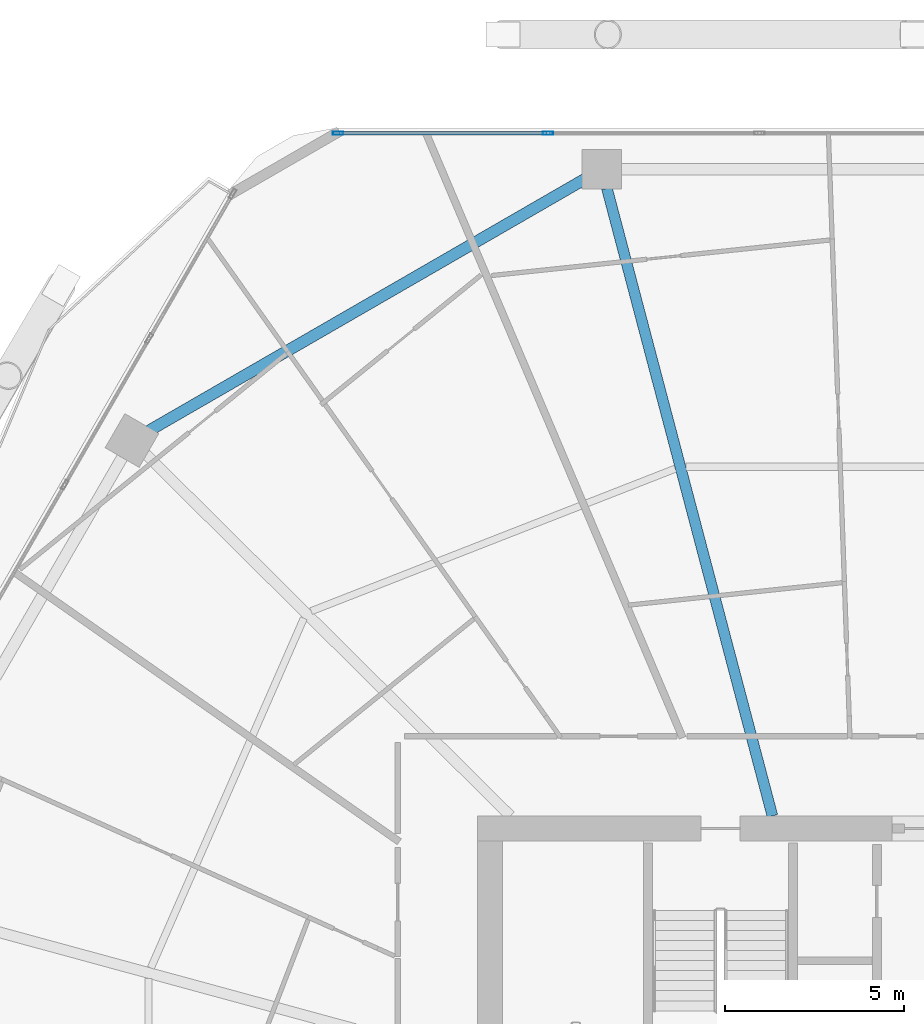
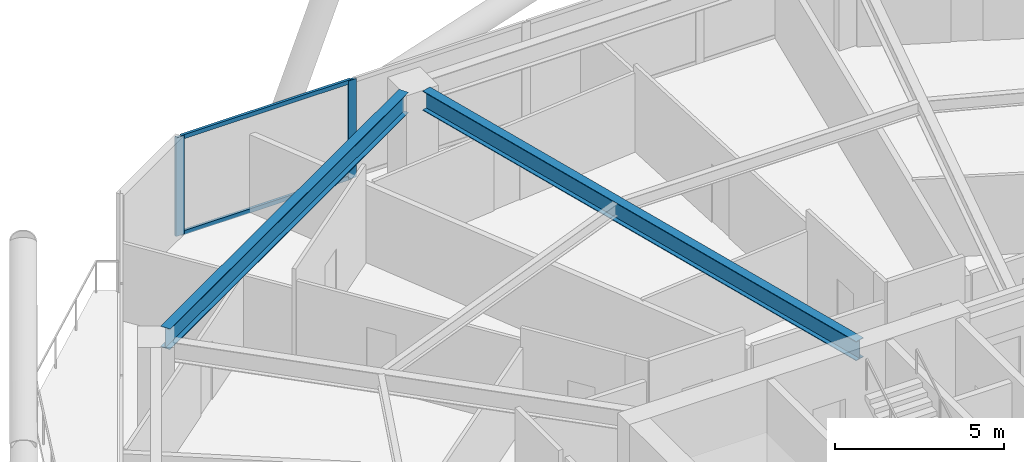
# One storey, part 19 of 36: 4 members, 2 beams, 1 element without a shape of its own.
"""IFC4 building model written with IfcOpenShell, lengths in metres."""

import ifcopenshell
import ifcopenshell.guid

model = None  # the IFC model being written
_history = None  # IfcOwnerHistory: only IFC2X3 demands one
_inside = {}  # id of a spatial element -> (the spatial element, [elements in it])
_under = {}  # id of a project, library or spatial element -> (it, [spatial elements below it])
_declared = {}  # id of a project -> (the project, [libraries it declares])
_typed = {}  # id of a type object -> (the type object, [elements of that type])
_made_of = {}  # id of a material, layer set ... -> (it, [elements and type objects made of it])


def new_model(schema):
    """Start an empty IFC model of exactly this schema.

    Asked for "IFC4X3", IfcOpenShell would pick the latest addendum, in which some entities
    have other attributes; the version numbers below select the first issue.
    IFC2X3 requires an IfcOwnerHistory on every rooted entity: one is made here for all.
    """
    global model, _history
    if schema == "IFC4X3":
        model = ifcopenshell.file(schema_version=(4, 3, 0, 0))
    else:
        model = ifcopenshell.file(schema=schema)
    _inside.clear()
    _under.clear()
    _declared.clear()
    _typed.clear()
    _made_of.clear()
    _history = None
    if model.schema == "IFC2X3":
        org = make("IfcOrganization", Name="unknown")
        user = make(
            "IfcPersonAndOrganization",
            ThePerson=make("IfcPerson", FamilyName="unknown"),
            TheOrganization=org,
        )
        app = make(
            "IfcApplication",
            ApplicationDeveloper=org,
            Version="unknown",
            ApplicationFullName="unknown",
            ApplicationIdentifier="unknown",
        )
        _history = make(
            "IfcOwnerHistory",
            OwningUser=user,
            OwningApplication=app,
            ChangeAction="ADDED",
            CreationDate=0,
        )
    return model


def make(cls, **values):
    """One entity of the class cls with the attributes given. An attribute that is None is left unset."""
    return model.create_entity(
        cls, **{name: value for name, value in values.items() if value is not None}
    )


def rooted(cls, **values):
    """An entity with a GlobalId (a new one), such as an element, a storey or a relation."""
    return make(cls, GlobalId=ifcopenshell.guid.new(), OwnerHistory=_history, **values)


def si_unit(unit_type, name, prefix=None):
    """IfcSIUnit, for example si_unit("LENGTHUNIT", "METRE", prefix="MILLI")."""
    return make("IfcSIUnit", UnitType=unit_type, Prefix=prefix, Name=name)


def assignment(units):
    """IfcUnitAssignment: the units of a project."""
    return None if units is None else make("IfcUnitAssignment", Units=units)


def point(xyz):
    """IfcCartesianPoint."""
    return None if xyz is None else make("IfcCartesianPoint", Coordinates=xyz)


def direction(xyz):
    """IfcDirection."""
    return None if xyz is None else make("IfcDirection", DirectionRatios=xyz)


def frame(location, z_axis=None, x_axis=None):
    """IfcAxis2Placement3D, a coordinate frame: its origin and axes. An axis left out is left unset."""
    return make(
        "IfcAxis2Placement3D",
        Location=point(location),
        Axis=direction(z_axis),
        RefDirection=direction(x_axis),
    )


def frame_2d(location, x_axis=None):
    """IfcAxis2Placement2D, a coordinate frame in the plane: its origin and x axis."""
    return make(
        "IfcAxis2Placement2D", Location=point(location), RefDirection=direction(x_axis)
    )


def origin():
    """The frame at (0, 0, 0) with its axes left unset."""
    return frame((0.0, 0.0, 0.0))


def origin_2d():
    """The frame at (0, 0) in the plane with its x axis left unset."""
    return frame_2d((0.0, 0.0))


def place(relative_to, where):
    """IfcLocalPlacement: puts the frame where relative to a parent placement (None: the world)."""
    return make(
        "IfcLocalPlacement", PlacementRelTo=relative_to, RelativePlacement=where
    )


def context(
    kind, dimensions, precision=None, world=None, true_north=None, identifier=None
):
    """IfcGeometricRepresentationContext, for example the 3D "Model" context."""
    return make(
        "IfcGeometricRepresentationContext",
        ContextIdentifier=identifier,
        ContextType=kind,
        CoordinateSpaceDimension=dimensions,
        Precision=precision,
        WorldCoordinateSystem=world,
        TrueNorth=true_north,
    )


def subcontext(parent, identifier, kind, view, scale=None):
    """IfcGeometricRepresentationSubContext, for example "Body" below "Model"."""
    return make(
        "IfcGeometricRepresentationSubContext",
        ContextIdentifier=identifier,
        ContextType=kind,
        ParentContext=parent,
        TargetScale=scale,
        TargetView=view,
    )


def project(units=None, contexts=None):
    """IfcProject with its units and contexts."""
    return rooted(
        "IfcProject",
        Name="project",
        RepresentationContexts=contexts,
        UnitsInContext=assignment(units),
    )


def spatial(cls, under=None, at=None, **own):
    """A site, building, storey or space (cls), placed at a placement, below another one or the project."""
    s = rooted(cls, ObjectPlacement=at, **own)
    if under is not None:
        _under.setdefault(under.id(), (under, []))[1].append(s)
    return s


def profile(cls, at=None, kind="AREA", **sizes):
    """A parametric profile (cls). Its sizes go by their IFC names, for example OverallWidth=200.0."""
    return make(cls, ProfileType=kind, Position=at, **sizes)


def hollow_rectangle(**sizes):
    """IfcRectangleHollowProfileDef."""
    return profile("IfcRectangleHollowProfileDef", **sizes)


def i_section(**sizes):
    """IfcIShapeProfileDef."""
    return profile("IfcIShapeProfileDef", **sizes)


def extrude(swept, where, along, depth):
    """IfcExtrudedAreaSolid: the profile swept, set in the frame where, extruded along a direction by depth."""
    return make(
        "IfcExtrudedAreaSolid",
        SweptArea=swept,
        Position=where,
        ExtrudedDirection=direction(along),
        Depth=depth,
    )


def shape(context_of_items, identifier, shape_type, items):
    """IfcShapeRepresentation: the items that make up one representation, for example the "Body"."""
    return make(
        "IfcShapeRepresentation",
        ContextOfItems=context_of_items,
        RepresentationIdentifier=identifier,
        RepresentationType=shape_type,
        Items=items,
    )


def material(Name=None, Category=None):
    """IfcMaterial."""
    return make("IfcMaterial", Name=Name, Category=Category)


def material_profile(
    of_material, cross_section, Name=None, Category=None, Priority=None
):
    """IfcMaterialProfile: a cross section and its material."""
    return make(
        "IfcMaterialProfile",
        Name=Name,
        Material=of_material,
        Profile=cross_section,
        Priority=Priority,
        Category=Category,
    )


def profile_set(profiles, Name=None, composite=None):
    """IfcMaterialProfileSet."""
    return make(
        "IfcMaterialProfileSet",
        Name=Name,
        MaterialProfiles=profiles,
        CompositeProfile=composite,
    )


def made_of(thing, what):
    """Note that an element or type object is made of a material, layer set ...; save() writes the relation."""
    if what is not None:
        _made_of.setdefault(what.id(), (what, []))[1].append(thing)
    return thing


def type_object(cls, material=None, **own):
    """A type object (cls), such as IfcWallType, which elements share."""
    return made_of(rooted(cls, **own), material)


def element(
    cls,
    number,
    at=None,
    inside=None,
    cuts=None,
    type_object=None,
    material=None,
    context=None,
    identifier="Body",
    shape_type=None,
    held_by="IfcProductDefinitionShape",
    body=None,
    shapes=None,
    **own,
):
    """One element of the class cls, such as IfcWall. Its Tag is "e" and its number.

    at: its placement. inside: the storey or other place that contains it. cuts: it is an
    opening in that element (IfcRelVoidsElement). A single representation is given by context,
    identifier, shape_type and body (its items); several are given by shapes. held_by: the class
    of the entity that holds the representations. save() writes the other relations.
    """
    e = rooted(cls, Tag="e%d" % number, ObjectPlacement=at, **own)
    if body is not None:
        shapes = [shape(context, identifier, shape_type, body)]
    if shapes is not None:
        e.Representation = make(held_by, Representations=shapes)
    if inside is not None:
        _inside.setdefault(inside.id(), (inside, []))[1].append(e)
    if cuts is not None:
        rooted(
            "IfcRelVoidsElement", RelatingBuildingElement=cuts, RelatedOpeningElement=e
        )
    if type_object is not None:
        _typed.setdefault(type_object.id(), (type_object, []))[1].append(e)
    return made_of(e, material)


def aggregate(whole, parts):
    """IfcRelAggregates: a whole, such as a stair, and the parts it consists of."""
    return rooted("IfcRelAggregates", RelatingObject=whole, RelatedObjects=parts)


def save(model, path):
    """Write the relations noted so far, then the file.

    IfcRelAggregates (storeys below a building ...), IfcRelContainedInSpatialStructure (elements
    in a storey), IfcRelDefinesByType, IfcRelAssociatesMaterial and IfcRelDeclares: one each for
    every whole, place, type object, material and project.
    """
    for whole, parts in _under.values():
        aggregate(whole, parts)
    for where, things in _inside.values():
        rooted(
            "IfcRelContainedInSpatialStructure",
            RelatedElements=things,
            RelatingStructure=where,
        )
    for kind, things in _typed.values():
        rooted("IfcRelDefinesByType", RelatedObjects=things, RelatingType=kind)
    for what, things in _made_of.values():
        rooted("IfcRelAssociatesMaterial", RelatedObjects=things, RelatingMaterial=what)
    for by, libraries in _declared.values():
        rooted("IfcRelDeclares", RelatingContext=by, RelatedDefinitions=libraries)
    model.write(path)


model = new_model("IFC4")

# Units and contexts
model_context = context("Model", 3, precision=1e-05, world=origin(), true_north=direction((0.0, 1.0)))
body_context = subcontext(model_context, "Body", "Model", "MODEL_VIEW")
ifc_project = project(units=[si_unit("LENGTHUNIT", "METRE"), si_unit("AREAUNIT", "SQUARE_METRE"), si_unit("VOLUMEUNIT", "CUBIC_METRE"), si_unit("PLANEANGLEUNIT", "RADIAN"), si_unit("MASSUNIT", "GRAM", prefix="KILO")], contexts=[model_context])

# Site, building, storey
site_placement = place(None, origin())
site = spatial("IfcSite", under=ifc_project, at=site_placement, CompositionType="ELEMENT")
building_placement = place(site_placement, origin())
building = spatial("IfcBuilding", under=site, at=building_placement, Name="Zuhravey Tower", CompositionType="ELEMENT")
storey_placement = place(building_placement, frame((0.0, 0.0, 107.60009765625)))
storey = spatial("IfcBuildingStorey", under=building, at=storey_placement, Name="L26", CompositionType="ELEMENT", Elevation=107.60009765625)

# Curtain wall, members
ifc_material_1 = material(Name="Thermally broken anodised aluminium", Category="aluminium")
curtain_wall_type = type_object("IfcCurtainWallType", Name="Zone 1-2 Residential Curtain Wall CW3", PredefinedType="NOTDEFINED", material=ifc_material_1)
curtain_wall_placement = place(storey_placement, origin())
curtain_wall = element("IfcCurtainWall", 1, at=curtain_wall_placement, inside=storey, type_object=curtain_wall_type, Name="L26 CW3 CW-L26-F2-1", PredefinedType="NOTDEFINED")
ifc_material_2 = material(Name="Anodised aluminium", Category="aluminium")
ifc_material_profile_1 = material_profile(ifc_material_2, hollow_rectangle(XDim=0.090087890625, YDim=0.284912109375, WallThickness=0.0048828125, at=origin_2d()), Name="ALU-RHS-90x285x5")
ifc_profile_set_1 = profile_set([ifc_material_profile_1], Name="Anodised aluminium")
member_type_1 = type_object("IfcMemberType", Name="Curtain-Wall Mullion 90x180", PredefinedType="MULLION", material=ifc_profile_set_1)
member_1_placement = place(storey_placement, frame((21.24560546875, 60.95849609375, 0.0), z_axis=(0.0, 0.0, 1.0), x_axis=(0.0, 1.0, 0.0)))
member_1 = element("IfcMember", 2, at=member_1_placement, type_object=member_type_1, Name="CW3 mullion 1", PredefinedType="MULLION", context=body_context, shape_type="SweptSolid", body=[
    extrude(hollow_rectangle(XDim=0.090087890625, YDim=0.284912109375, WallThickness=0.0048828125, at=origin_2d()), origin(), (0.0, 0.0, 1.0), 3.5498046875),
])
member_2_placement = place(storey_placement, frame((27.120361328125, 60.95849609375, 0.0), z_axis=(0.0, 0.0, 1.0), x_axis=(0.0, 1.0, 0.0)))
member_2 = element("IfcMember", 3, at=member_2_placement, type_object=member_type_1, Name="CW3 mullion 2", PredefinedType="MULLION", context=body_context, shape_type="SweptSolid", body=[
    extrude(hollow_rectangle(XDim=0.090087890625, YDim=0.284912109375, WallThickness=0.0048828125, at=origin_2d()), origin(), (0.0, 0.0, 1.0), 3.5498046875),
])
ifc_material_profile_2 = material_profile(ifc_material_2, hollow_rectangle(XDim=0.090087890625, YDim=0.14990234375, WallThickness=0.0048828125, at=origin_2d()), Name="ALU-RHS-90x150x5")
ifc_profile_set_2 = profile_set([ifc_material_profile_2], Name="Anodised aluminium")
member_type_2 = type_object("IfcMemberType", Name="Curtain-Wall Transom 90x150", PredefinedType="USERDEFINED", material=ifc_profile_set_2)
member_3_placement = place(storey_placement, frame((21.29052734375, 60.95849609375, 0.044921875), z_axis=(1.0, 0.0, 0.0), x_axis=(0.0, 1.0, 0.0)))
member_3 = element("IfcMember", 4, at=member_3_placement, type_object=member_type_2, Name="CW3 transom 1.1", ObjectType="TRANSOM", PredefinedType="USERDEFINED", context=body_context, shape_type="SweptSolid", body=[
    extrude(hollow_rectangle(XDim=0.090087890625, YDim=0.14990234375, WallThickness=0.0048828125, at=origin_2d()), origin(), (0.0, 0.0, 1.0), 5.78466796875),
])
member_4_placement = place(storey_placement, frame((21.29052734375, 60.95849609375, 3.5048828125), z_axis=(1.0, 0.0, 0.0), x_axis=(0.0, 1.0, 0.0)))
member_4 = element("IfcMember", 5, at=member_4_placement, type_object=member_type_2, Name="CW3 transom 1.2", ObjectType="TRANSOM", PredefinedType="USERDEFINED", context=body_context, shape_type="SweptSolid", body=[
    extrude(hollow_rectangle(XDim=0.090087890625, YDim=0.14990234375, WallThickness=0.0048828125, at=origin_2d()), origin(), (0.0, 0.0, 1.0), 5.78466796875),
])
aggregate(curtain_wall, [member_1, member_2, member_3, member_4])

# Beams
ifc_material_3 = material(Name="Steel SM355", Category="steel")
ifc_material_profile_3 = material_profile(ifc_material_3, i_section(OverallWidth=0.320068359375, OverallDepth=0.75, WebThickness=0.013916015625, FlangeThickness=0.02490234375, at=origin_2d()), Name="H-750x320x14x25")
ifc_profile_set_3 = profile_set([ifc_material_profile_3], Name="Steel SM355")
beam_type_1 = type_object("IfcBeamType", Name="Perimeter Ring Beam H750x320", PredefinedType="BEAM", material=ifc_profile_set_3)
beam_1_placement = place(storey_placement, frame((28.151123046875, 59.672119140625, 3.1748046875), z_axis=(-0.866017786538, -0.500013193225, 0.0), x_axis=(0.500013193225, -0.866017786538, 0.0)))
element("IfcBeam", 6, at=beam_1_placement, inside=storey, type_object=beam_type_1, Name="L26 PB1 BM-L26-PB-04", PredefinedType="BEAM", context=body_context, shape_type="SweptSolid", body=[
    extrude(i_section(OverallWidth=0.320068359375, OverallDepth=0.75, WebThickness=0.013916015625, FlangeThickness=0.02490234375, at=origin_2d()), origin(), (0.0, 0.0, 1.0), 14.0771484375),
])
ifc_material_profile_4 = material_profile(ifc_material_3, i_section(OverallWidth=0.300048828125, OverallDepth=0.699951171875, WebThickness=0.012939453125, FlangeThickness=0.02392578125, at=origin_2d()), Name="H-700x300x13x24")
ifc_profile_set_4 = profile_set([ifc_material_profile_4], Name="Steel SM355")
beam_type_2 = type_object("IfcBeamType", Name="Radial Primary Girder H700x300", PredefinedType="BEAM", material=ifc_profile_set_4)
beam_2_placement = place(storey_placement, frame((33.40185546875, 41.85302734375, 3.199951171875), z_axis=(-0.25498755891, 0.966944333869, 0.0), x_axis=(-0.966944333869, -0.25498755891, 0.0)))
element("IfcBeam", 7, at=beam_2_placement, inside=storey, type_object=beam_type_2, Name="L26 RG1 BM-L26-RAD-04", PredefinedType="BEAM", context=body_context, shape_type="SweptSolid", body=[
    extrude(i_section(OverallWidth=0.300048828125, OverallDepth=0.699951171875, WebThickness=0.012939453125, FlangeThickness=0.02392578125, at=origin_2d()), origin(), (0.0, 0.0, 1.0), 18.1611328125),
])

save(model, "model.ifc")
